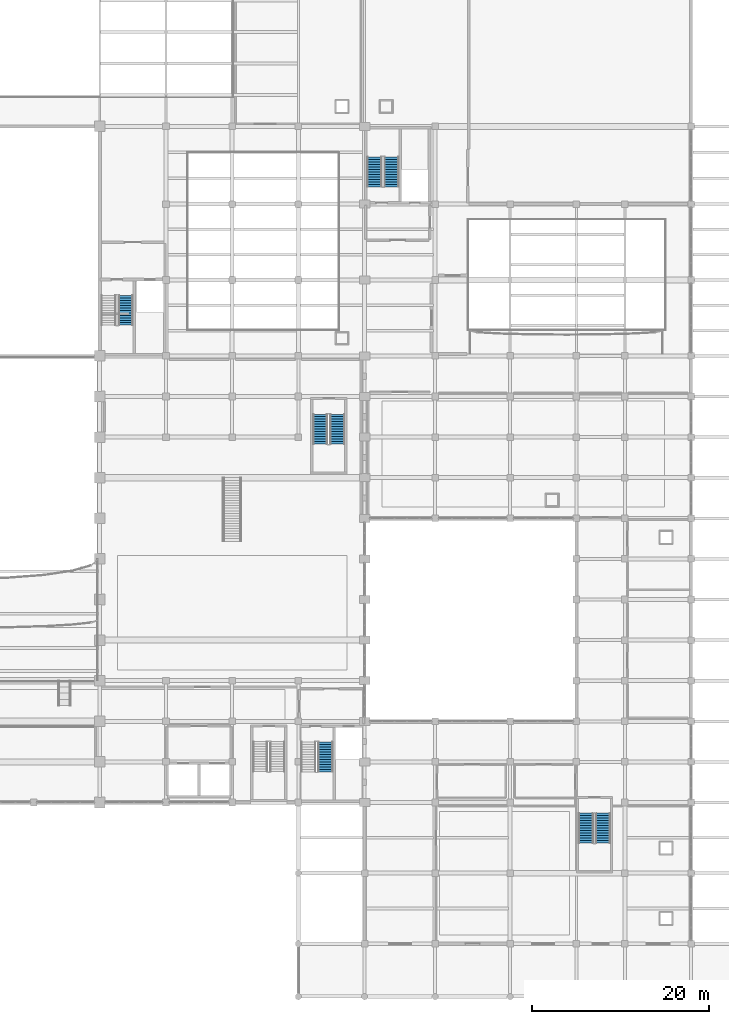
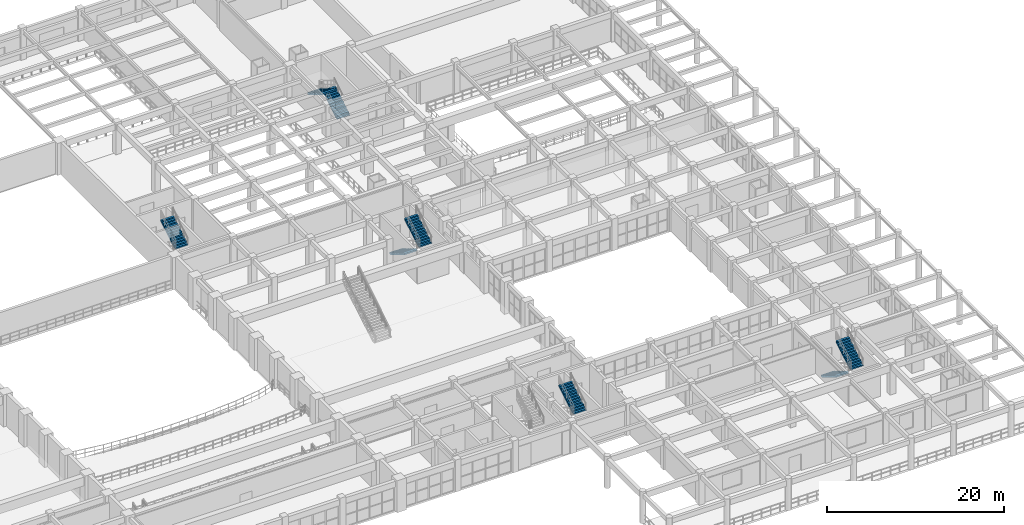
# One storey, part 105 of 116: 8 stair flights, 5 elements without a shape of their own.
"""IFC4 building model written with IfcOpenShell, lengths in metres."""

from ifc_helpers import new_model, si_unit, direction, frame, origin, place, context, subcontext, project, spatial, polyline, outline, extrude, material, type_object, element, aggregate, save


model = new_model("IFC4")

# Units and contexts
model_context = context("Model", 3, precision=1e-05, world=origin(), true_north=direction((0.0, 1.0)))
body_context = subcontext(model_context, "Body", "Model", "MODEL_VIEW")
ifc_project = project(units=[si_unit("LENGTHUNIT", "METRE"), si_unit("AREAUNIT", "SQUARE_METRE"), si_unit("VOLUMEUNIT", "CUBIC_METRE"), si_unit("PLANEANGLEUNIT", "RADIAN"), si_unit("MASSUNIT", "GRAM", prefix="KILO")], contexts=[model_context])

# Site, building, storey
site_placement = place(None, origin())
site = spatial("IfcSite", under=ifc_project, at=site_placement, CompositionType="ELEMENT")
building_placement = place(site_placement, origin())
building = spatial("IfcBuilding", under=site, at=building_placement, Name="Muzn Square Opera House", CompositionType="ELEMENT")
storey_placement = place(building_placement, frame((0.0, 0.0, 5.39990234375)))
storey = spatial("IfcBuildingStorey", under=building, at=storey_placement, Name="L01", CompositionType="ELEMENT", Elevation=5.39990234375)

# Stair, stair flight
ifc_material = material(Name="Concrete C40/50", Category="concrete")
stair_type = type_object("IfcStairType", Name="Core Escape Dogleg Stair", PredefinedType="HALF_TURN_STAIR", material=ifc_material)
stair_1_placement = place(storey_placement, origin())
stair_1 = element("IfcStair", 1, at=stair_1_placement, inside=storey, type_object=stair_type, Name="L01 Escape Stair ST-2", PredefinedType="HALF_TURN_STAIR")
stair_flight_type = type_object("IfcStairFlightType", Name="Core Stair Flight 1660mm", PredefinedType="STRAIGHT", material=ifc_material)
stair_flight_1_placement = place(storey_placement, frame((105.93994140625, 76.080078125, 2.2001953125), z_axis=(0.0, 0.0, 1.0), x_axis=(0.0, 1.0, 0.0)))
stair_flight_1 = element("IfcStairFlight", 2, at=stair_flight_1_placement, type_object=stair_flight_type, Name="ST-2 flight 2", NumberOfRisers=13, NumberOfTreads=12, PredefinedType="STRAIGHT", RiserHeight=0.169230769, TreadLength=0.28, context=body_context, shape_type="SweptSolid", body=[
    extrude(outline(polyline([(0.0, 0.0), (0.0, 0.169189453125), (0.280029296875, 0.169189453125), (0.280029296875, 0.33837890625), (0.56005859375, 0.33837890625), (0.56005859375, 0.5078125), (0.840087890625, 0.5078125), (0.840087890625, 0.677001953125), (1.1201171875, 0.677001953125), (1.1201171875, 0.84619140625), (1.39990234375, 0.84619140625), (1.39990234375, 1.015380859375), (1.679931640625, 1.015380859375), (1.679931640625, 1.1845703125), (1.9599609375, 1.1845703125), (1.9599609375, 1.353759765625), (2.239990234375, 1.353759765625), (2.239990234375, 1.523193359375), (2.52001953125, 1.523193359375), (2.52001953125, 1.6923828125), (2.800048828125, 1.6923828125), (2.800048828125, 1.861572265625), (3.080078125, 1.861572265625), (3.080078125, 2.03076171875), (3.360107421875, 2.03076171875), (3.360107421875, 2.199951171875), (3.360107421875, 1.820556640625), (0.347900390625, 0.0), (0.0, 0.0)])), frame((0.0, 0.830078125, 0.0), z_axis=(0.0, -1.0, 0.0), x_axis=(1.0, 0.0, 0.0)), (0.0, 0.0, 1.0), 1.659912109375),
])
aggregate(stair_1, [stair_flight_1])

stair_2_placement = place(storey_placement, origin())
stair_2 = element("IfcStair", 3, at=stair_2_placement, inside=storey, type_object=stair_type, Name="L01 Escape Stair ST-4", PredefinedType="HALF_TURN_STAIR")
stair_flight_2_placement = place(storey_placement, frame((128.570068359375, 25.47998046875, 2.2001953125), z_axis=(0.0, 0.0, 1.0), x_axis=(0.0, 1.0, 0.0)))
stair_flight_2 = element("IfcStairFlight", 4, at=stair_flight_2_placement, type_object=stair_flight_type, Name="ST-4 flight 2", NumberOfRisers=13, NumberOfTreads=12, PredefinedType="STRAIGHT", RiserHeight=0.169230769, TreadLength=0.28, context=body_context, shape_type="SweptSolid", body=[
    extrude(outline(polyline([(0.0, 0.0), (0.0, 0.169189453125), (0.280029296875, 0.169189453125), (0.280029296875, 0.33837890625), (0.56005859375, 0.33837890625), (0.56005859375, 0.5078125), (0.840087890625, 0.5078125), (0.840087890625, 0.677001953125), (1.1201171875, 0.677001953125), (1.1201171875, 0.84619140625), (1.39990234375, 0.84619140625), (1.39990234375, 1.015380859375), (1.679931640625, 1.015380859375), (1.679931640625, 1.1845703125), (1.9599609375, 1.1845703125), (1.9599609375, 1.353759765625), (2.239990234375, 1.353759765625), (2.239990234375, 1.523193359375), (2.52001953125, 1.523193359375), (2.52001953125, 1.6923828125), (2.800048828125, 1.6923828125), (2.800048828125, 1.861572265625), (3.080078125, 1.861572265625), (3.080078125, 2.03076171875), (3.360107421875, 2.03076171875), (3.360107421875, 2.199951171875), (3.360107421875, 1.820556640625), (0.347900390625, 0.0), (0.0, 0.0)])), frame((0.0, 0.830078125, 0.0), z_axis=(0.0, -1.0, 0.0), x_axis=(1.0, 0.0, 0.0)), (0.0, 0.0, 1.0), 1.659912109375),
])
aggregate(stair_2, [stair_flight_2])

# Stair, stair flights
stair_3_placement = place(storey_placement, origin())
stair_3 = element("IfcStair", 5, at=stair_3_placement, inside=storey, type_object=stair_type, Name="L01 Escape Stair ST-5", PredefinedType="HALF_TURN_STAIR")
stair_flight_3_placement = place(storey_placement, frame((136.070068359375, 91.760009765625, 0.0), z_axis=(0.0, 0.0, 1.0), x_axis=(0.0, 1.0, 0.0)))
stair_flight_3 = element("IfcStairFlight", 6, at=stair_flight_3_placement, type_object=stair_flight_type, Name="ST-5 flight 1", NumberOfRisers=13, NumberOfTreads=12, PredefinedType="STRAIGHT", RiserHeight=0.169230769, TreadLength=0.28, context=body_context, shape_type="SweptSolid", body=[
    extrude(outline(polyline([(0.0, 0.0), (0.0, 0.169189453125), (0.280029296875, 0.169189453125), (0.280029296875, 0.33837890625), (0.56005859375, 0.33837890625), (0.56005859375, 0.5078125), (0.840087890625, 0.5078125), (0.840087890625, 0.677001953125), (1.1201171875, 0.677001953125), (1.1201171875, 0.84619140625), (1.39990234375, 0.84619140625), (1.39990234375, 1.015380859375), (1.679931640625, 1.015380859375), (1.679931640625, 1.1845703125), (1.9599609375, 1.1845703125), (1.9599609375, 1.353759765625), (2.239990234375, 1.353759765625), (2.239990234375, 1.523193359375), (2.52001953125, 1.523193359375), (2.52001953125, 1.6923828125), (2.800048828125, 1.6923828125), (2.800048828125, 1.861572265625), (3.080078125, 1.861572265625), (3.080078125, 2.03076171875), (3.360107421875, 2.03076171875), (3.360107421875, 2.199951171875), (3.360107421875, 1.820556640625), (0.347900390625, 0.0), (0.0, 0.0)])), frame((0.0, 0.830078125, 0.0), z_axis=(0.0, -1.0, 0.0), x_axis=(1.0, 0.0, 0.0)), (0.0, 0.0, 1.0), 1.659912109375),
])
stair_flight_4_placement = place(storey_placement, frame((134.1298828125, 95.1201171875, 2.2001953125), z_axis=(0.0, 0.0, 1.0), x_axis=(0.0, -1.0, 0.0)))
stair_flight_4 = element("IfcStairFlight", 7, at=stair_flight_4_placement, type_object=stair_flight_type, Name="ST-5 flight 2", NumberOfRisers=13, NumberOfTreads=12, PredefinedType="STRAIGHT", RiserHeight=0.169230769, TreadLength=0.28, context=body_context, shape_type="SweptSolid", body=[
    extrude(outline(polyline([(0.0, 0.0), (0.0, 0.169189453125), (0.280029296875, 0.169189453125), (0.280029296875, 0.33837890625), (0.56005859375, 0.33837890625), (0.56005859375, 0.5078125), (0.840087890625, 0.5078125), (0.840087890625, 0.677001953125), (1.1201171875, 0.677001953125), (1.1201171875, 0.84619140625), (1.39990234375, 0.84619140625), (1.39990234375, 1.015380859375), (1.679931640625, 1.015380859375), (1.679931640625, 1.1845703125), (1.9599609375, 1.1845703125), (1.9599609375, 1.353759765625), (2.239990234375, 1.353759765625), (2.239990234375, 1.523193359375), (2.52001953125, 1.523193359375), (2.52001953125, 1.6923828125), (2.800048828125, 1.6923828125), (2.800048828125, 1.861572265625), (3.080078125, 1.861572265625), (3.080078125, 2.03076171875), (3.360107421875, 2.03076171875), (3.360107421875, 2.199951171875), (3.360107421875, 1.820556640625), (0.347900390625, 0.0), (0.0, 0.0)])), frame((0.0, 0.830078125, 0.0), z_axis=(0.0, -1.0, 0.0), x_axis=(1.0, 0.0, 0.0)), (0.0, 0.0, 1.0), 1.659912109375),
])
aggregate(stair_3, [stair_flight_3, stair_flight_4])

stair_4_placement = place(storey_placement, origin())
stair_4 = element("IfcStair", 8, at=stair_4_placement, inside=storey, type_object=stair_type, Name="L01 Escape Stair ST-8", PredefinedType="HALF_TURN_STAIR")
stair_flight_5_placement = place(storey_placement, frame((158.080078125, 20.7900390625, 0.0), z_axis=(0.0, 0.0, 1.0), x_axis=(0.0, -1.0, 0.0)))
stair_flight_5 = element("IfcStairFlight", 9, at=stair_flight_5_placement, type_object=stair_flight_type, Name="ST-8 flight 1", NumberOfRisers=13, NumberOfTreads=12, PredefinedType="STRAIGHT", RiserHeight=0.169230769, TreadLength=0.28, context=body_context, shape_type="SweptSolid", body=[
    extrude(outline(polyline([(0.0, 0.0), (0.0, 0.169189453125), (0.280029296875, 0.169189453125), (0.280029296875, 0.33837890625), (0.56005859375, 0.33837890625), (0.56005859375, 0.5078125), (0.840087890625, 0.5078125), (0.840087890625, 0.677001953125), (1.1201171875, 0.677001953125), (1.1201171875, 0.84619140625), (1.39990234375, 0.84619140625), (1.39990234375, 1.015380859375), (1.679931640625, 1.015380859375), (1.679931640625, 1.1845703125), (1.9599609375, 1.1845703125), (1.9599609375, 1.353759765625), (2.239990234375, 1.353759765625), (2.239990234375, 1.523193359375), (2.52001953125, 1.523193359375), (2.52001953125, 1.6923828125), (2.800048828125, 1.6923828125), (2.800048828125, 1.861572265625), (3.080078125, 1.861572265625), (3.080078125, 2.03076171875), (3.360107421875, 2.03076171875), (3.360107421875, 2.199951171875), (3.360107421875, 1.820556640625), (0.347900390625, 0.0), (0.0, 0.0)])), frame((0.0, 0.830078125, 0.0), z_axis=(0.0, -1.0, 0.0), x_axis=(1.0, 0.0, 0.0)), (0.0, 0.0, 1.0), 1.659912109375),
])
stair_flight_6_placement = place(storey_placement, frame((160.02001953125, 17.429931640625, 2.2001953125), z_axis=(0.0, 0.0, 1.0), x_axis=(0.0, 1.0, 0.0)))
stair_flight_6 = element("IfcStairFlight", 10, at=stair_flight_6_placement, type_object=stair_flight_type, Name="ST-8 flight 2", NumberOfRisers=13, NumberOfTreads=12, PredefinedType="STRAIGHT", RiserHeight=0.169230769, TreadLength=0.28, context=body_context, shape_type="SweptSolid", body=[
    extrude(outline(polyline([(0.0, 0.0), (0.0, 0.169189453125), (0.280029296875, 0.169189453125), (0.280029296875, 0.33837890625), (0.56005859375, 0.33837890625), (0.56005859375, 0.5078125), (0.840087890625, 0.5078125), (0.840087890625, 0.677001953125), (1.1201171875, 0.677001953125), (1.1201171875, 0.84619140625), (1.39990234375, 0.84619140625), (1.39990234375, 1.015380859375), (1.679931640625, 1.015380859375), (1.679931640625, 1.1845703125), (1.9599609375, 1.1845703125), (1.9599609375, 1.353759765625), (2.239990234375, 1.353759765625), (2.239990234375, 1.523193359375), (2.52001953125, 1.523193359375), (2.52001953125, 1.6923828125), (2.800048828125, 1.6923828125), (2.800048828125, 1.861572265625), (3.080078125, 1.861572265625), (3.080078125, 2.03076171875), (3.360107421875, 2.03076171875), (3.360107421875, 2.199951171875), (3.360107421875, 1.820556640625), (0.347900390625, 0.0), (0.0, 0.0)])), frame((0.0, 0.830078125, 0.0), z_axis=(0.0, -1.0, 0.0), x_axis=(1.0, 0.0, 0.0)), (0.0, 0.0, 1.0), 1.659912109375),
])
aggregate(stair_4, [stair_flight_5, stair_flight_6])

stair_5_placement = place(storey_placement, origin())
stair_5 = element("IfcStair", 11, at=stair_5_placement, inside=storey, type_object=stair_type, Name="L01 Escape Stair ST-10", PredefinedType="HALF_TURN_STAIR")
stair_flight_7_placement = place(storey_placement, frame((127.97998046875, 65.989990234375, 0.0), z_axis=(0.0, 0.0, 1.0), x_axis=(0.0, -1.0, 0.0)))
stair_flight_7 = element("IfcStairFlight", 12, at=stair_flight_7_placement, type_object=stair_flight_type, Name="ST-10 flight 1", NumberOfRisers=13, NumberOfTreads=12, PredefinedType="STRAIGHT", RiserHeight=0.169230769, TreadLength=0.28, context=body_context, shape_type="SweptSolid", body=[
    extrude(outline(polyline([(0.0, 0.0), (0.0, 0.169189453125), (0.280029296875, 0.169189453125), (0.280029296875, 0.33837890625), (0.56005859375, 0.33837890625), (0.56005859375, 0.5078125), (0.840087890625, 0.5078125), (0.840087890625, 0.677001953125), (1.1201171875, 0.677001953125), (1.1201171875, 0.84619140625), (1.39990234375, 0.84619140625), (1.39990234375, 1.015380859375), (1.679931640625, 1.015380859375), (1.679931640625, 1.1845703125), (1.9599609375, 1.1845703125), (1.9599609375, 1.353759765625), (2.239990234375, 1.353759765625), (2.239990234375, 1.523193359375), (2.52001953125, 1.523193359375), (2.52001953125, 1.6923828125), (2.800048828125, 1.6923828125), (2.800048828125, 1.861572265625), (3.080078125, 1.861572265625), (3.080078125, 2.03076171875), (3.360107421875, 2.03076171875), (3.360107421875, 2.199951171875), (3.360107421875, 1.820556640625), (0.347900390625, 0.0), (0.0, 0.0)])), frame((0.0, 0.830078125, 0.0), z_axis=(0.0, -1.0, 0.0), x_axis=(1.0, 0.0, 0.0)), (0.0, 0.0, 1.0), 1.659912109375),
])
stair_flight_8_placement = place(storey_placement, frame((129.919921875, 62.6298828125, 2.2001953125), z_axis=(0.0, 0.0, 1.0), x_axis=(0.0, 1.0, 0.0)))
stair_flight_8 = element("IfcStairFlight", 13, at=stair_flight_8_placement, type_object=stair_flight_type, Name="ST-10 flight 2", NumberOfRisers=13, NumberOfTreads=12, PredefinedType="STRAIGHT", RiserHeight=0.169230769, TreadLength=0.28, context=body_context, shape_type="SweptSolid", body=[
    extrude(outline(polyline([(0.0, 0.0), (0.0, 0.169189453125), (0.280029296875, 0.169189453125), (0.280029296875, 0.33837890625), (0.56005859375, 0.33837890625), (0.56005859375, 0.5078125), (0.840087890625, 0.5078125), (0.840087890625, 0.677001953125), (1.1201171875, 0.677001953125), (1.1201171875, 0.84619140625), (1.39990234375, 0.84619140625), (1.39990234375, 1.015380859375), (1.679931640625, 1.015380859375), (1.679931640625, 1.1845703125), (1.9599609375, 1.1845703125), (1.9599609375, 1.353759765625), (2.239990234375, 1.353759765625), (2.239990234375, 1.523193359375), (2.52001953125, 1.523193359375), (2.52001953125, 1.6923828125), (2.800048828125, 1.6923828125), (2.800048828125, 1.861572265625), (3.080078125, 1.861572265625), (3.080078125, 2.03076171875), (3.360107421875, 2.03076171875), (3.360107421875, 2.199951171875), (3.360107421875, 1.820556640625), (0.347900390625, 0.0), (0.0, 0.0)])), frame((0.0, 0.830078125, 0.0), z_axis=(0.0, -1.0, 0.0), x_axis=(1.0, 0.0, 0.0)), (0.0, 0.0, 1.0), 1.659912109375),
])
aggregate(stair_5, [stair_flight_7, stair_flight_8])

save(model, "model.ifc")
